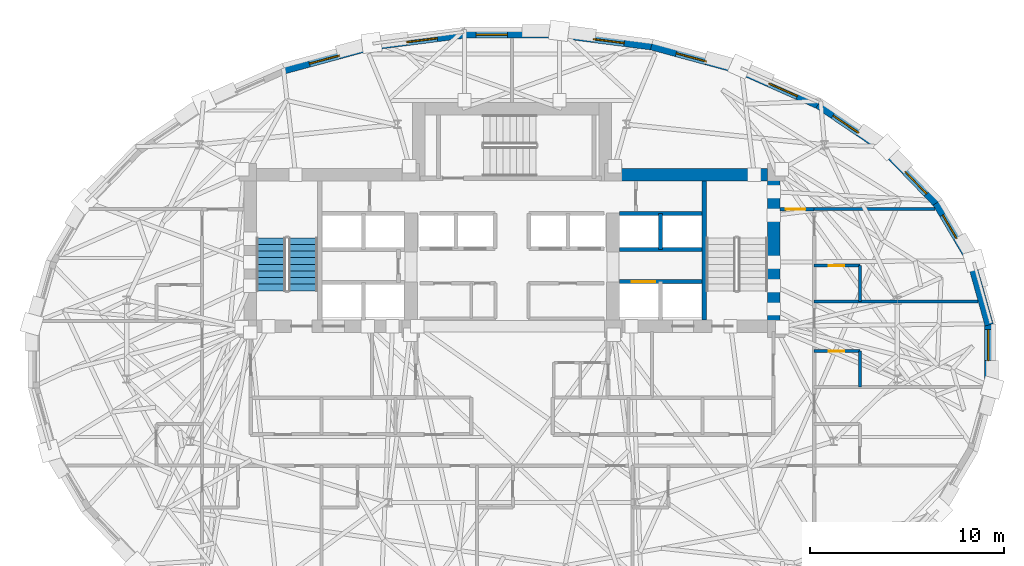
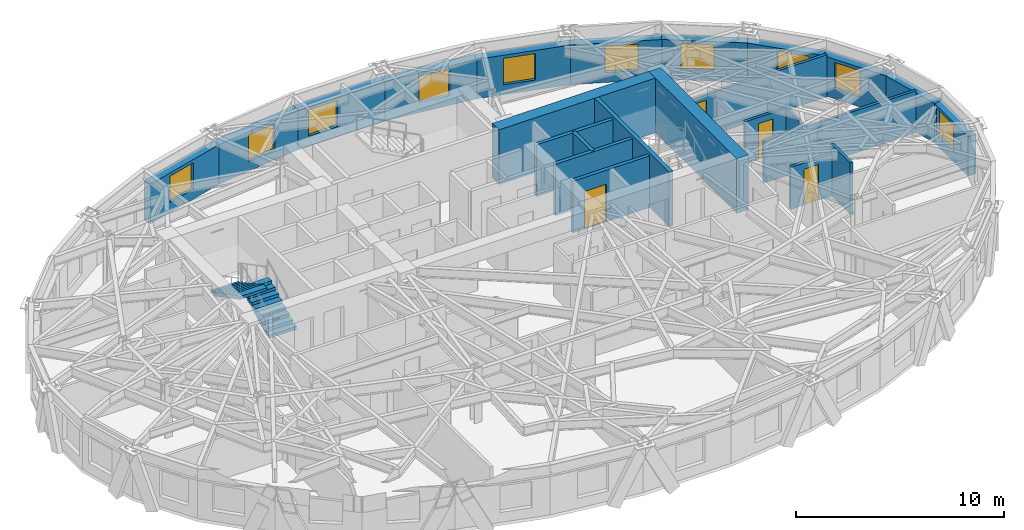
# One storey, part 10 of 15: 25 walls, 10 windows, 4 doors, 2 stair flights, 14 openings, 1 element without a shape of its own.
"""IFC4 building model written with IfcOpenShell, lengths in metres."""

from ifc_helpers import new_model, si_unit, direction, frame, frame_2d, origin, place, context, subcontext, project, spatial, polyline, rectangle, outline, extrude, material, layer, layer_set, type_object, element, fill, aggregate, save


model = new_model("IFC4")

# Units and contexts
model_context = context("Model", 3, precision=1e-05, world=origin(), true_north=direction((0.0, 1.0)))
body_context = subcontext(model_context, "Body", "Model", "MODEL_VIEW")
ifc_project = project(units=[si_unit("LENGTHUNIT", "METRE"), si_unit("AREAUNIT", "SQUARE_METRE"), si_unit("VOLUMEUNIT", "CUBIC_METRE"), si_unit("PLANEANGLEUNIT", "RADIAN"), si_unit("MASSUNIT", "GRAM", prefix="KILO")], contexts=[model_context])

# Site, building, storey
site_placement = place(None, origin())
site = spatial("IfcSite", under=ifc_project, at=site_placement, CompositionType="ELEMENT")
building_placement = place(site_placement, origin())
building = spatial("IfcBuilding", under=site, at=building_placement, Name="Keldmark Tower", CompositionType="ELEMENT")
storey_placement = place(building_placement, frame((0.0, 0.0, 163.0)))
storey = spatial("IfcBuildingStorey", under=building, at=storey_placement, Name="L44", CompositionType="ELEMENT", Elevation=163.0)

# Wall, opening, door
ifc_material_1 = material(Name="Type X Fire-Rated Gypsum Partition Assembly", Category="gypsum")
ifc_layer_1 = layer(ifc_material_1, 0.1650390625)
ifc_layer_set_1 = layer_set([ifc_layer_1], Name="Type X Fire-Rated Gypsum Partition Assembly")
wall_type_1 = type_object("IfcWallType", Name="Rated Partition 165 mm", PredefinedType="PARTITIONING", material=ifc_layer_set_1)
wall_1_placement = place(storey_placement, frame((13.800048828125, 7.550048828125, 0.0), z_axis=(0.0, 0.0, 1.0), x_axis=(1.0, 0.0, 0.0)))
wall_1 = element("IfcWall", 1, at=wall_1_placement, inside=storey, type_object=wall_type_1, Name="L44 Rated Partition 165 mm HCOR-EN", PredefinedType="PARTITIONING", context=body_context, shape_type="SweptSolid", body=[
    extrude(rectangle(XDim=1.75, YDim=0.1650390625, at=frame_2d((0.875, 0.0))), origin(), (0.0, 0.0, 1.0), 2.472900390625),
])
opening_1_placement = place(wall_1_placement, frame((0.300048828125, 0.0, 0.0)))
opening_1 = element("IfcOpeningElement", 2, at=opening_1_placement, cuts=wall_1, Name="Opening D-FD100", PredefinedType="OPENING", context=body_context, shape_type="SweptSolid", body=[
    extrude(rectangle(XDim=1.0, YDim=2.14990234375, at=frame_2d((0.5, 1.074951171875))), frame((0.0, 0.092529296875, 0.0), z_axis=(0.0, -1.0, 0.0), x_axis=(1.0, 0.0, 0.0)), (0.0, 0.0, 1.0), 0.18505859375),
])
ifc_material_2 = material(Name="Hollow Metal Fire-Rated Corridor Door", Category="metal")
door_type_1 = type_object("IfcDoorType", Name="Fire Door 1000x2150", OperationType="NOTDEFINED", PredefinedType="DOOR", material=ifc_material_2)
door_1_placement = place(opening_1_placement, origin())
door_1 = element("IfcDoor", 3, at=door_1_placement, inside=storey, type_object=door_type_1, Name="L44 Fire Door 1000x2150 D-HNNE-L44", OperationType="SINGLE_SWING_RIGHT", OverallHeight=2.14990234375, OverallWidth=1.0, PredefinedType="DOOR", context=body_context, shape_type="SweptSolid", body=[
    extrude(rectangle(XDim=1.0, YDim=2.14990234375, at=frame_2d((0.5, 1.074951171875))), frame((0.0, 0.02490234375, 0.0), z_axis=(0.0, -1.0, 0.0), x_axis=(1.0, 0.0, 0.0)), (0.0, 0.0, 1.0), 0.050048828125),
])
fill(opening_1, door_1)

ifc_material_3 = material(Name="Fire-Resistant Type X Gypsum Shaftliner Coreboard", Category="gypsum")
ifc_layer_2 = layer(ifc_material_3, 0.199951171875)
ifc_layer_set_2 = layer_set([ifc_layer_2], Name="Fire-Resistant Type X Gypsum Shaftliner Coreboard")
wall_type_2 = type_object("IfcWallType", Name="Shaft Wall 200 mm", PredefinedType="SOLIDWALL", material=ifc_layer_set_2)
wall_2_placement = place(storey_placement, frame((5.52490234375, 3.820068359375, 0.0), z_axis=(0.0, 0.0, 1.0), x_axis=(1.0, 0.0, 0.0)))
wall_2 = element("IfcWall", 4, at=wall_2_placement, inside=storey, type_object=wall_type_2, Name="L44 Shaft Wall 200 mm HW-E-S", PredefinedType="SOLIDWALL", context=body_context, shape_type="SweptSolid", body=[
    extrude(rectangle(XDim=4.255126953125, YDim=0.199951171875, at=frame_2d((2.12744140625, 0.0))), origin(), (0.0, 0.0, 1.0), 3.02001953125),
])
opening_2_placement = place(wall_2_placement, frame((0.64990234375, 0.0, 0.0)))
opening_2 = element("IfcOpeningElement", 5, at=opening_2_placement, cuts=wall_2, Name="Opening LD-120", PredefinedType="OPENING", context=body_context, shape_type="SweptSolid", body=[
    extrude(rectangle(XDim=1.199951171875, YDim=2.199951171875, at=frame_2d((0.60009765625, 1.10009765625))), frame((0.0, 0.10986328125, 0.0), z_axis=(0.0, -1.0, 0.0), x_axis=(1.0, 0.0, 0.0)), (0.0, 0.0, 1.0), 0.219970703125),
])
ifc_material_4 = material(Name="Heavy-Duty Brushed Metal Hoistway Sliding Leaf", Category="metal")
door_type_2 = type_object("IfcDoorType", Name="Service Lift Sliding Door 1200x2200", OperationType="SLIDING_TO_RIGHT", PredefinedType="DOOR", material=ifc_material_4)
door_2_placement = place(opening_2_placement, origin())
door_2 = element("IfcDoor", 6, at=door_2_placement, inside=storey, type_object=door_type_2, Name="L44 Service Lift Sliding Door 1200x2200 LD-EL-SV1-L44", OperationType="SLIDING_TO_RIGHT", OverallHeight=2.199951171875, OverallWidth=1.199951171875, PredefinedType="DOOR", context=body_context, shape_type="SweptSolid", body=[
    extrude(rectangle(XDim=1.199951171875, YDim=2.199951171875, at=frame_2d((0.60009765625, 1.10009765625))), frame((0.0, 0.02490234375, 0.0), z_axis=(0.0, -1.0, 0.0), x_axis=(1.0, 0.0, 0.0)), (0.0, 0.0, 1.0), 0.050048828125),
])
fill(opening_2, door_2)

# Walls
for number, where, z_axis, x_axis, name in (
    (7, (5.52490234375, 5.469970703125, 0.0), (0.0, 0.0, 1.0), (1.0, 0.0, 0.0), "L44 Shaft Wall 200 mm HW-E-N"),
    (8, (5.52490234375, 7.330078125, 0.0), (0.0, 0.0, 1.0), (1.0, 0.0, 0.0), "L44 Shaft Wall 200 mm HW-E-TOP"),
):
    element("IfcWall", number, at=place(storey_placement, frame(where, z_axis=z_axis, x_axis=x_axis)), inside=storey, type_object=wall_type_2, Name=name, PredefinedType="SOLIDWALL", context=body_context, shape_type="SweptSolid", body=[
        extrude(rectangle(XDim=4.255126953125, YDim=0.199951171875, at=frame_2d((2.12744140625, 0.0))), origin(), (0.0, 0.0, 1.0), 3.02001953125),
    ])
wall_3_placement = place(storey_placement, frame((7.64990234375, 5.469970703125, 0.0), z_axis=(0.0, 0.0, 1.0), x_axis=(0.0, 1.0, 0.0)))
element("IfcWall", 9, at=wall_3_placement, inside=storey, type_object=wall_type_2, Name="L44 Shaft Wall 200 mm HW-E-NM", PredefinedType="SOLIDWALL", context=body_context, shape_type="SweptSolid", body=[
    extrude(rectangle(XDim=1.860107421875, YDim=0.199951171875, at=frame_2d((0.93017578125, 0.0))), origin(), (0.0, 0.0, 1.0), 3.02001953125),
])
ifc_material_5 = material(Name="Concrete C50/60", Category="concrete")
ifc_layer_3 = layer(ifc_material_5, 0.219970703125)
ifc_layer_set_3 = layer_set([ifc_layer_3], Name="Concrete C50/60")
wall_type_3 = type_object("IfcWallType", Name="Stair Core Shear Wall 220 mm", PredefinedType="SHEAR", material=ifc_layer_set_3)
wall_4_placement = place(storey_placement, frame((9.889892578125, 1.85009765625, 0.0), z_axis=(0.0, 0.0, 1.0), x_axis=(0.0, 1.0, 0.0)))
element("IfcWall", 10, at=wall_4_placement, inside=storey, type_object=wall_type_3, Name="L44 East Stair Core Shear Wall", PredefinedType="SHEAR", context=body_context, shape_type="SweptSolid", body=[
    extrude(rectangle(XDim=7.14990234375, YDim=0.219970703125, at=frame_2d((3.574951171875, 0.0))), origin(), (0.0, 0.0, 1.0), 3.199951171875),
])
ifc_material_6 = material(Name="Ironspot Manganese Brick and Kasota Buff Limestone Spandrel Assembly", Category="masonry")
ifc_layer_4 = layer(ifc_material_6, 0.43994140625)
ifc_layer_set_4 = layer_set([ifc_layer_4], Name="Ironspot Manganese Brick and Kasota Buff Limestone Spandrel Assembly")
wall_type_4 = type_object("IfcWallType", Name="Tower Brick Pier and Spandrel Wall 440 mm", PredefinedType="STANDARD", material=ifc_layer_set_4)
wall_5_placement = place(storey_placement, frame((23.64501953125, 4.846435546875, 0.0), z_axis=(0.0, 0.0, 1.0), x_axis=(0.269235699479, -0.963074315993, 0.0)))
element("IfcWall", 11, at=wall_5_placement, inside=storey, type_object=wall_type_4, Name="L44 Exterior Brick and Spandrel Wall 01", PredefinedType="STANDARD", context=body_context, shape_type="SweptSolid", body=[
    extrude(rectangle(XDim=3.376953125, YDim=0.43994140625, at=frame_2d((1.6884765625, 0.0))), origin(), (0.0, 0.0, 1.0), 2.31494140625),
])

# Wall, opening, window
wall_6_placement = place(storey_placement, frame((21.847412109375, 7.87255859375, 0.0), z_axis=(0.0, 0.0, 1.0), x_axis=(0.508883387051, -0.860835465338, 0.0)))
wall_6 = element("IfcWall", 12, at=wall_6_placement, inside=storey, type_object=wall_type_4, Name="L44 Exterior Brick and Spandrel Wall 02", PredefinedType="STANDARD", context=body_context, shape_type="SweptSolid", body=[
    extrude(rectangle(XDim=3.57666015625, YDim=0.43994140625, at=frame_2d((1.788330078125, 0.0))), origin(), (0.0, 0.0, 1.0), 2.31494140625),
])
opening_3_placement = place(wall_6_placement, frame((0.693603515625, 0.0, 0.580078125)))
opening_3 = element("IfcOpeningElement", 13, at=opening_3_placement, cuts=wall_6, Name="Opening W-08", PredefinedType="OPENING", context=body_context, shape_type="SweptSolid", body=[
    extrude(rectangle(XDim=1.39990234375, YDim=1.550048828125, at=frame_2d((0.699951171875, 0.77490234375))), frame((0.0, 0.22998046875, 0.0), z_axis=(0.0, -1.0, 0.0), x_axis=(1.0, 0.0, 0.0)), (0.0, 0.0, 1.0), 0.4599609375),
])
ifc_material_7 = material(Name="Thermally Broken Anodized Aluminum and Triple Low-E Argon Glazing", Category="aluminium")
window_type_1 = type_object("IfcWindowType", Name="Residential Corner Punched Window 1400x1550", PartitioningType="SINGLE_PANEL", PredefinedType="WINDOW", material=ifc_material_7)
window_1_placement = place(opening_3_placement, origin())
window_1 = element("IfcWindow", 14, at=window_1_placement, inside=storey, type_object=window_type_1, Name="L44 Deep-Set Window 02", OverallHeight=1.550048828125, OverallWidth=1.39990234375, PartitioningType="SINGLE_PANEL", PredefinedType="WINDOW", context=body_context, shape_type="SweptSolid", body=[
    extrude(rectangle(XDim=1.39990234375, YDim=1.550048828125, at=frame_2d((0.699951171875, 0.77490234375))), frame((0.0, -0.010009765625, 0.0), z_axis=(0.0, -1.0, 0.0), x_axis=(1.0, 0.0, 0.0)), (0.0, 0.0, 1.0), 0.06005859375),
])
fill(opening_3, window_1)

wall_7_placement = place(storey_placement, frame((19.191650390625, 10.61181640625, 0.0), z_axis=(0.0, 0.0, 1.0), x_axis=(0.694975307772, -0.719033602544, 0.0)))
wall_7 = element("IfcWall", 15, at=wall_7_placement, inside=storey, type_object=wall_type_4, Name="L44 Exterior Brick and Spandrel Wall 03", PredefinedType="STANDARD", context=body_context, shape_type="SweptSolid", body=[
    extrude(rectangle(XDim=3.866455078125, YDim=0.43994140625, at=frame_2d((1.93310546875, 0.0))), origin(), (0.0, 0.0, 1.0), 2.31494140625),
])
opening_4_placement = place(wall_7_placement, frame((1.52587890625, 0.0, 0.580078125)))
opening_4 = element("IfcOpeningElement", 16, at=opening_4_placement, cuts=wall_7, Name="Opening W-04", PredefinedType="OPENING", context=body_context, shape_type="SweptSolid", body=[
    extrude(rectangle(XDim=1.60009765625, YDim=1.550048828125, at=frame_2d((0.800048828125, 0.77490234375))), frame((0.0, 0.22998046875, 0.0), z_axis=(0.0, -1.0, 0.0), x_axis=(1.0, 0.0, 0.0)), (0.0, 0.0, 1.0), 0.4599609375),
])
ifc_material_8 = material(Name="Thermally Broken Anodized Aluminum and Triple Low-E Argon Glazing", Category="aluminium")
window_type_2 = type_object("IfcWindowType", Name="Hotel Deep-Set Operable Window 1600x1550", PartitioningType="DOUBLE_PANEL_HORIZONTAL", PredefinedType="WINDOW", material=ifc_material_8)
window_2_placement = place(opening_4_placement, origin())
window_2 = element("IfcWindow", 17, at=window_2_placement, inside=storey, type_object=window_type_2, Name="L44 Deep-Set Window 03", OverallHeight=1.550048828125, OverallWidth=1.60009765625, PartitioningType="SINGLE_PANEL", PredefinedType="WINDOW", context=body_context, shape_type="SweptSolid", body=[
    extrude(rectangle(XDim=1.60009765625, YDim=1.550048828125, at=frame_2d((0.800048828125, 0.77490234375))), frame((0.0, -0.010009765625, 0.0), z_axis=(0.0, -1.0, 0.0), x_axis=(1.0, 0.0, 0.0)), (0.0, 0.0, 1.0), 0.06005859375),
])
fill(opening_4, window_2)

wall_8_placement = place(storey_placement, frame((15.756591796875, 12.9345703125, 0.0), z_axis=(0.0, 0.0, 1.0), x_axis=(0.827760762475, -0.561081206338, 0.0)))
wall_8 = element("IfcWall", 18, at=wall_8_placement, inside=storey, type_object=wall_type_4, Name="L44 Exterior Brick and Spandrel Wall 04", PredefinedType="STANDARD", context=body_context, shape_type="SweptSolid", body=[
    extrude(rectangle(XDim=4.19189453125, YDim=0.43994140625, at=frame_2d((2.095947265625, 0.0))), origin(), (0.0, 0.0, 1.0), 2.31494140625),
])
opening_5_placement = place(wall_8_placement, frame((0.947265625, 0.0, 0.580078125)))
opening_5 = element("IfcOpeningElement", 19, at=opening_5_placement, cuts=wall_8, Name="Opening W-04", PredefinedType="OPENING", context=body_context, shape_type="SweptSolid", body=[
    extrude(rectangle(XDim=1.60009765625, YDim=1.550048828125, at=frame_2d((0.800048828125, 0.77490234375))), frame((0.0, 0.22998046875, 0.0), z_axis=(0.0, -1.0, 0.0), x_axis=(1.0, 0.0, 0.0)), (0.0, 0.0, 1.0), 0.4599609375),
])
window_3_placement = place(opening_5_placement, origin())
window_3 = element("IfcWindow", 20, at=window_3_placement, inside=storey, type_object=window_type_2, Name="L44 Deep-Set Window 04", OverallHeight=1.550048828125, OverallWidth=1.60009765625, PartitioningType="SINGLE_PANEL", PredefinedType="WINDOW", context=body_context, shape_type="SweptSolid", body=[
    extrude(rectangle(XDim=1.60009765625, YDim=1.550048828125, at=frame_2d((0.800048828125, 0.77490234375))), frame((0.0, -0.010009765625, 0.0), z_axis=(0.0, -1.0, 0.0), x_axis=(1.0, 0.0, 0.0)), (0.0, 0.0, 1.0), 0.06005859375),
])
fill(opening_5, window_3)

wall_9_placement = place(storey_placement, frame((11.689697265625, 14.737060546875, 0.0), z_axis=(0.0, 0.0, 1.0), x_axis=(0.913907994914, -0.405921392431, 0.0)))
wall_9 = element("IfcWall", 21, at=wall_9_placement, inside=storey, type_object=wall_type_4, Name="L44 Exterior Brick and Spandrel Wall 05", PredefinedType="STANDARD", context=body_context, shape_type="SweptSolid", body=[
    extrude(rectangle(XDim=4.4873046875, YDim=0.43994140625, at=frame_2d((2.24365234375, 0.0))), origin(), (0.0, 0.0, 1.0), 2.31494140625),
])
opening_6_placement = place(wall_9_placement, frame((1.6923828125, 0.0, 0.580078125)))
opening_6 = element("IfcOpeningElement", 22, at=opening_6_placement, cuts=wall_9, Name="Opening W-04", PredefinedType="OPENING", context=body_context, shape_type="SweptSolid", body=[
    extrude(rectangle(XDim=1.60009765625, YDim=1.550048828125, at=frame_2d((0.800048828125, 0.77490234375))), frame((0.0, 0.22998046875, 0.0), z_axis=(0.0, -1.0, 0.0), x_axis=(1.0, 0.0, 0.0)), (0.0, 0.0, 1.0), 0.4599609375),
])
window_4_placement = place(opening_6_placement, origin())
window_4 = element("IfcWindow", 23, at=window_4_placement, inside=storey, type_object=window_type_2, Name="L44 Deep-Set Window 05", OverallHeight=1.550048828125, OverallWidth=1.60009765625, PartitioningType="SINGLE_PANEL", PredefinedType="WINDOW", context=body_context, shape_type="SweptSolid", body=[
    extrude(rectangle(XDim=1.60009765625, YDim=1.550048828125, at=frame_2d((0.800048828125, 0.77490234375))), frame((0.0, -0.010009765625, 0.0), z_axis=(0.0, -1.0, 0.0), x_axis=(1.0, 0.0, 0.0)), (0.0, 0.0, 1.0), 0.06005859375),
])
fill(opening_6, window_4)

wall_10_placement = place(storey_placement, frame((7.17919921875, 15.95947265625, 0.0), z_axis=(0.0, 0.0, 1.0), x_axis=(0.965037424263, -0.262112132058, 0.0)))
wall_10 = element("IfcWall", 24, at=wall_10_placement, inside=storey, type_object=wall_type_4, Name="L44 Exterior Brick and Spandrel Wall 06", PredefinedType="STANDARD", context=body_context, shape_type="SweptSolid", body=[
    extrude(rectangle(XDim=4.70654296875, YDim=0.43994140625, at=frame_2d((2.353271484375, 0.0))), origin(), (0.0, 0.0, 1.0), 2.31494140625),
])
opening_7_placement = place(wall_10_placement, frame((1.331787109375, 0.0, 0.580078125)))
opening_7 = element("IfcOpeningElement", 25, at=opening_7_placement, cuts=wall_10, Name="Opening W-04", PredefinedType="OPENING", context=body_context, shape_type="SweptSolid", body=[
    extrude(rectangle(XDim=1.60009765625, YDim=1.550048828125, at=frame_2d((0.800048828125, 0.77490234375))), frame((0.0, 0.22998046875, 0.0), z_axis=(0.0, -1.0, 0.0), x_axis=(1.0, 0.0, 0.0)), (0.0, 0.0, 1.0), 0.4599609375),
])
window_5_placement = place(opening_7_placement, origin())
window_5 = element("IfcWindow", 26, at=window_5_placement, inside=storey, type_object=window_type_2, Name="L44 Deep-Set Window 06", OverallHeight=1.550048828125, OverallWidth=1.60009765625, PartitioningType="SINGLE_PANEL", PredefinedType="WINDOW", context=body_context, shape_type="SweptSolid", body=[
    extrude(rectangle(XDim=1.60009765625, YDim=1.550048828125, at=frame_2d((0.800048828125, 0.77490234375))), frame((0.0, -0.010009765625, 0.0), z_axis=(0.0, -1.0, 0.0), x_axis=(1.0, 0.0, 0.0)), (0.0, 0.0, 1.0), 0.06005859375),
])
fill(opening_7, window_5)

wall_11_placement = place(storey_placement, frame((2.4111328125, 16.56982421875, 0.0), z_axis=(0.0, 0.0, 1.0), x_axis=(0.991852910824, -0.127388395426, 0.0)))
wall_11 = element("IfcWall", 27, at=wall_11_placement, inside=storey, type_object=wall_type_4, Name="L44 Exterior Brick and Spandrel Wall 07", PredefinedType="STANDARD", context=body_context, shape_type="SweptSolid", body=[
    extrude(rectangle(XDim=4.837158203125, YDim=0.43994140625, at=frame_2d((2.41845703125, 0.0))), origin(), (0.0, 0.0, 1.0), 2.31494140625),
])
opening_8_placement = place(wall_11_placement, frame((1.792724609375, 0.0, 0.580078125)))
opening_8 = element("IfcOpeningElement", 28, at=opening_8_placement, cuts=wall_11, Name="Opening W-04", PredefinedType="OPENING", context=body_context, shape_type="SweptSolid", body=[
    extrude(rectangle(XDim=1.60009765625, YDim=1.550048828125, at=frame_2d((0.800048828125, 0.77490234375))), frame((0.0, 0.22998046875, 0.0), z_axis=(0.0, -1.0, 0.0), x_axis=(1.0, 0.0, 0.0)), (0.0, 0.0, 1.0), 0.4599609375),
])
window_6_placement = place(opening_8_placement, origin())
window_6 = element("IfcWindow", 29, at=window_6_placement, inside=storey, type_object=window_type_2, Name="L44 Deep-Set Window 07", OverallHeight=1.550048828125, OverallWidth=1.60009765625, PartitioningType="SINGLE_PANEL", PredefinedType="WINDOW", context=body_context, shape_type="SweptSolid", body=[
    extrude(rectangle(XDim=1.60009765625, YDim=1.550048828125, at=frame_2d((0.800048828125, 0.77490234375))), frame((0.0, -0.010009765625, 0.0), z_axis=(0.0, -1.0, 0.0), x_axis=(1.0, 0.0, 0.0)), (0.0, 0.0, 1.0), 0.06005859375),
])
fill(opening_8, window_6)

wall_12_placement = place(storey_placement, frame((-2.439208984375, 16.568115234375, 0.0), z_axis=(0.0, 0.0, 1.0), x_axis=(1.0, 0.0, 0.0)))
wall_12 = element("IfcWall", 30, at=wall_12_placement, inside=storey, type_object=wall_type_4, Name="L44 Exterior Brick and Spandrel Wall 08", PredefinedType="STANDARD", context=body_context, shape_type="SweptSolid", body=[
    extrude(rectangle(XDim=4.87841796875, YDim=0.43994140625, at=frame_2d((2.439208984375, 0.0))), origin(), (0.0, 0.0, 1.0), 2.31494140625),
])
opening_9_placement = place(wall_12_placement, frame((0.596923828125, 0.0, 0.580078125)))
opening_9 = element("IfcOpeningElement", 31, at=opening_9_placement, cuts=wall_12, Name="Opening W-04", PredefinedType="OPENING", context=body_context, shape_type="SweptSolid", body=[
    extrude(rectangle(XDim=1.60009765625, YDim=1.550048828125, at=frame_2d((0.800048828125, 0.77490234375))), frame((0.0, 0.22998046875, 0.0), z_axis=(0.0, -1.0, 0.0), x_axis=(1.0, 0.0, 0.0)), (0.0, 0.0, 1.0), 0.4599609375),
])
window_7_placement = place(opening_9_placement, origin())
window_7 = element("IfcWindow", 32, at=window_7_placement, inside=storey, type_object=window_type_2, Name="L44 Deep-Set Window 08", OverallHeight=1.550048828125, OverallWidth=1.60009765625, PartitioningType="SINGLE_PANEL", PredefinedType="WINDOW", context=body_context, shape_type="SweptSolid", body=[
    extrude(rectangle(XDim=1.60009765625, YDim=1.550048828125, at=frame_2d((0.800048828125, 0.77490234375))), frame((0.0, -0.010009765625, 0.0), z_axis=(0.0, -1.0, 0.0), x_axis=(1.0, 0.0, 0.0)), (0.0, 0.0, 1.0), 0.06005859375),
])
fill(opening_9, window_7)

wall_13_placement = place(storey_placement, frame((-7.208984375, 15.95361328125, 0.0), z_axis=(0.0, 0.0, 1.0), x_axis=(0.991852910824, 0.127388395426, 0.0)))
wall_13 = element("IfcWall", 33, at=wall_13_placement, inside=storey, type_object=wall_type_4, Name="L44 Exterior Brick and Spandrel Wall 09", PredefinedType="STANDARD", context=body_context, shape_type="SweptSolid", body=[
    extrude(rectangle(XDim=4.837158203125, YDim=0.43994140625, at=frame_2d((2.41845703125, 0.0))), origin(), (0.0, 0.0, 1.0), 2.31494140625),
])
opening_10_placement = place(wall_13_placement, frame((1.792724609375, 0.0, 0.580078125)))
opening_10 = element("IfcOpeningElement", 34, at=opening_10_placement, cuts=wall_13, Name="Opening W-04", PredefinedType="OPENING", context=body_context, shape_type="SweptSolid", body=[
    extrude(rectangle(XDim=1.60009765625, YDim=1.550048828125, at=frame_2d((0.800048828125, 0.77490234375))), frame((0.0, 0.22998046875, 0.0), z_axis=(0.0, -1.0, 0.0), x_axis=(1.0, 0.0, 0.0)), (0.0, 0.0, 1.0), 0.4599609375),
])
window_8_placement = place(opening_10_placement, origin())
window_8 = element("IfcWindow", 35, at=window_8_placement, inside=storey, type_object=window_type_2, Name="L44 Deep-Set Window 09", OverallHeight=1.550048828125, OverallWidth=1.60009765625, PartitioningType="SINGLE_PANEL", PredefinedType="WINDOW", context=body_context, shape_type="SweptSolid", body=[
    extrude(rectangle(XDim=1.60009765625, YDim=1.550048828125, at=frame_2d((0.800048828125, 0.77490234375))), frame((0.0, -0.010009765625, 0.0), z_axis=(0.0, -1.0, 0.0), x_axis=(1.0, 0.0, 0.0)), (0.0, 0.0, 1.0), 0.06005859375),
])
fill(opening_10, window_8)

wall_14_placement = place(storey_placement, frame((-11.72119140625, 14.725830078125, 0.0), z_axis=(0.0, 0.0, 1.0), x_axis=(0.965037424263, 0.262112132058, 0.0)))
wall_14 = element("IfcWall", 36, at=wall_14_placement, inside=storey, type_object=wall_type_4, Name="L44 Exterior Brick and Spandrel Wall 10", PredefinedType="STANDARD", context=body_context, shape_type="SweptSolid", body=[
    extrude(rectangle(XDim=4.70654296875, YDim=0.43994140625, at=frame_2d((2.353271484375, 0.0))), origin(), (0.0, 0.0, 1.0), 2.31494140625),
])
opening_11_placement = place(wall_14_placement, frame((1.331787109375, 0.0, 0.580078125)))
opening_11 = element("IfcOpeningElement", 37, at=opening_11_placement, cuts=wall_14, Name="Opening W-04", PredefinedType="OPENING", context=body_context, shape_type="SweptSolid", body=[
    extrude(rectangle(XDim=1.60009765625, YDim=1.550048828125, at=frame_2d((0.800048828125, 0.77490234375))), frame((0.0, 0.22998046875, 0.0), z_axis=(0.0, -1.0, 0.0), x_axis=(1.0, 0.0, 0.0)), (0.0, 0.0, 1.0), 0.4599609375),
])
window_9_placement = place(opening_11_placement, origin())
window_9 = element("IfcWindow", 38, at=window_9_placement, inside=storey, type_object=window_type_2, Name="L44 Deep-Set Window 10", OverallHeight=1.550048828125, OverallWidth=1.60009765625, PartitioningType="SINGLE_PANEL", PredefinedType="WINDOW", context=body_context, shape_type="SweptSolid", body=[
    extrude(rectangle(XDim=1.60009765625, YDim=1.550048828125, at=frame_2d((0.800048828125, 0.77490234375))), frame((0.0, -0.010009765625, 0.0), z_axis=(0.0, -1.0, 0.0), x_axis=(1.0, 0.0, 0.0)), (0.0, 0.0, 1.0), 0.06005859375),
])
fill(opening_11, window_9)

wall_15_placement = place(storey_placement, frame((24.5458984375, 1.653564453125, 0.0), z_axis=(0.0, 0.0, 1.0), x_axis=(0.0, -1.0, 0.0)))
wall_15 = element("IfcWall", 39, at=wall_15_placement, inside=storey, type_object=wall_type_4, Name="L44 Exterior Brick and Spandrel Wall 32", PredefinedType="STANDARD", context=body_context, shape_type="SweptSolid", body=[
    extrude(rectangle(XDim=3.30712890625, YDim=0.43994140625, at=frame_2d((1.653564453125, 0.0))), origin(), (0.0, 0.0, 1.0), 2.31494140625),
])
opening_12_placement = place(wall_15_placement, frame((0.296875, 0.0, 0.580078125)))
opening_12 = element("IfcOpeningElement", 40, at=opening_12_placement, cuts=wall_15, Name="Opening W-04", PredefinedType="OPENING", context=body_context, shape_type="SweptSolid", body=[
    extrude(rectangle(XDim=1.60009765625, YDim=1.550048828125, at=frame_2d((0.800048828125, 0.77490234375))), frame((0.0, 0.22998046875, 0.0), z_axis=(0.0, -1.0, 0.0), x_axis=(1.0, 0.0, 0.0)), (0.0, 0.0, 1.0), 0.4599609375),
])
window_10_placement = place(opening_12_placement, origin())
window_10 = element("IfcWindow", 41, at=window_10_placement, inside=storey, type_object=window_type_2, Name="L44 Deep-Set Window 32", OverallHeight=1.550048828125, OverallWidth=1.60009765625, PartitioningType="SINGLE_PANEL", PredefinedType="WINDOW", context=body_context, shape_type="SweptSolid", body=[
    extrude(rectangle(XDim=1.60009765625, YDim=1.550048828125, at=frame_2d((0.800048828125, 0.77490234375))), frame((0.0, -0.010009765625, 0.0), z_axis=(0.0, -1.0, 0.0), x_axis=(1.0, 0.0, 0.0)), (0.0, 0.0, 1.0), 0.06005859375),
])
fill(opening_12, window_10)

# Walls
ifc_material_9 = material(Name="Concrete C50/60", Category="concrete")
ifc_layer_5 = layer(ifc_material_9, 0.64990234375)
ifc_layer_set_5 = layer_set([ifc_layer_5], Name="Concrete C50/60")
wall_type_5 = type_object("IfcWallType", Name="Upper-Mid Core Shear Wall 650 mm", PredefinedType="SHEAR", material=ifc_layer_set_5)
wall_16_placement = place(storey_placement, frame((13.47509765625, 1.199951171875, 0.0), z_axis=(0.0, 0.0, 1.0), x_axis=(0.0, 1.0, 0.0)))
element("IfcWall", 42, at=wall_16_placement, inside=storey, type_object=wall_type_5, Name="L44 East Core Outer Shear Wall", PredefinedType="SHEAR", context=body_context, shape_type="SweptSolid", body=[
    extrude(rectangle(XDim=8.449951171875, YDim=0.64990234375, at=frame_2d((4.22509765625, 0.0))), origin(), (0.0, 0.0, 1.0), 3.199951171875),
])
wall_17_placement = place(storey_placement, frame((4.47509765625, 9.324951171875, 0.0), z_axis=(0.0, 0.0, 1.0), x_axis=(1.0, 0.0, 0.0)))
element("IfcWall", 43, at=wall_17_placement, inside=storey, type_object=wall_type_5, Name="L44 East Core North Shear Wall", PredefinedType="SHEAR", context=body_context, shape_type="SweptSolid", body=[
    extrude(rectangle(XDim=9.324951171875, YDim=0.64990234375, at=frame_2d((4.66259765625, 0.0))), origin(), (0.0, 0.0, 1.0), 3.199951171875),
])
ifc_material_10 = material(Name="Moisture-Resistant Gypsum Plumbing Partition", Category="gypsum")
ifc_layer_6 = layer(ifc_material_10, 0.14990234375)
ifc_layer_set_6 = layer_set([ifc_layer_6], Name="Moisture-Resistant Gypsum Plumbing Partition")
wall_type_6 = type_object("IfcWallType", Name="Wet Wall 150 mm", PredefinedType="PLUMBINGWALL", material=ifc_layer_set_6)
wall_18_placement = place(storey_placement, frame((15.550048828125, 7.550048828125, 0.0), z_axis=(0.0, 0.0, 1.0), x_axis=(1.0, 0.0, 0.0)))
element("IfcWall", 44, at=wall_18_placement, inside=storey, type_object=wall_type_6, Name="L44 Wet Wall 150 mm HE-CAP-N", PredefinedType="PLUMBINGWALL", context=body_context, shape_type="SweptSolid", body=[
    extrude(rectangle(XDim=6.22314453125, YDim=0.14990234375, at=frame_2d((3.111572265625, 0.0))), origin(), (0.0, 0.0, 1.0), 2.472900390625),
])
wall_19_placement = place(storey_placement, frame((15.550048828125, 2.800048828125, 0.0), z_axis=(0.0, 0.0, 1.0), x_axis=(1.0, 0.0, 0.0)))
element("IfcWall", 45, at=wall_19_placement, inside=storey, type_object=wall_type_6, Name="L44 Wet Wall 150 mm HE-DIV-2", PredefinedType="PLUMBINGWALL", context=body_context, shape_type="SweptSolid", body=[
    extrude(rectangle(XDim=8.43017578125, YDim=0.14990234375, at=frame_2d((4.215087890625, 0.0))), origin(), (0.0, 0.0, 1.0), 2.472900390625),
])

# Wall, opening, door
wall_20_placement = place(storey_placement, frame((15.550048828125, 0.25, 0.0), z_axis=(0.0, 0.0, 1.0), x_axis=(1.0, 0.0, 0.0)))
wall_20 = element("IfcWall", 46, at=wall_20_placement, inside=storey, type_object=wall_type_6, Name="L44 Wet Wall 150 mm HB-8-N", PredefinedType="PLUMBINGWALL", context=body_context, shape_type="SweptSolid", body=[
    extrude(rectangle(XDim=2.349853515625, YDim=0.14990234375, at=frame_2d((1.1748046875, 0.0))), origin(), (0.0, 0.0, 1.0), 2.472900390625),
])
opening_13_placement = place(wall_20_placement, frame((0.75, 0.0, 0.0)))
opening_13 = element("IfcOpeningElement", 47, at=opening_13_placement, cuts=wall_20, Name="Opening D-BT080", PredefinedType="OPENING", context=body_context, shape_type="SweptSolid", body=[
    extrude(rectangle(XDim=0.800048828125, YDim=2.10009765625, at=frame_2d((0.39990234375, 1.050048828125))), frame((0.0, 0.0849609375, 0.0), z_axis=(0.0, -1.0, 0.0), x_axis=(1.0, 0.0, 0.0)), (0.0, 0.0, 1.0), 0.169921875),
])
ifc_material_11 = material(Name="Moisture-Sealed Stained Wood", Category="wood")
door_type_3 = type_object("IfcDoorType", Name="Bathroom Door 800x2100", OperationType="NOTDEFINED", PredefinedType="DOOR", material=ifc_material_11)
door_3_placement = place(opening_13_placement, origin())
door_3 = element("IfcDoor", 48, at=door_3_placement, inside=storey, type_object=door_type_3, Name="L44 Bathroom Door 800x2100 D-HB-8-L44", OperationType="SINGLE_SWING_LEFT", OverallHeight=2.10009765625, OverallWidth=0.800048828125, PredefinedType="DOOR", context=body_context, shape_type="SweptSolid", body=[
    extrude(rectangle(XDim=0.800048828125, YDim=2.10009765625, at=frame_2d((0.39990234375, 1.050048828125))), frame((0.0, 0.02490234375, 0.0), z_axis=(0.0, -1.0, 0.0), x_axis=(1.0, 0.0, 0.0)), (0.0, 0.0, 1.0), 0.050048828125),
])
fill(opening_13, door_3)

# Wall
wall_21_placement = place(storey_placement, frame((17.89990234375, -1.60009765625, 0.0), z_axis=(0.0, 0.0, 1.0), x_axis=(0.0, 1.0, 0.0)))
element("IfcWall", 49, at=wall_21_placement, inside=storey, type_object=wall_type_6, Name="L44 Wet Wall 150 mm HB-8-IN", PredefinedType="PLUMBINGWALL", context=body_context, shape_type="SweptSolid", body=[
    extrude(rectangle(XDim=1.85009765625, YDim=0.14990234375, at=frame_2d((0.925048828125, 0.0))), origin(), (0.0, 0.0, 1.0), 3.02001953125),
])

# Wall, opening, door
wall_22_placement = place(storey_placement, frame((15.550048828125, 4.64990234375, 0.0), z_axis=(0.0, 0.0, 1.0), x_axis=(1.0, 0.0, 0.0)))
wall_22 = element("IfcWall", 50, at=wall_22_placement, inside=storey, type_object=wall_type_6, Name="L44 Wet Wall 150 mm HB-9-N", PredefinedType="PLUMBINGWALL", context=body_context, shape_type="SweptSolid", body=[
    extrude(rectangle(XDim=2.349853515625, YDim=0.14990234375, at=frame_2d((1.1748046875, 0.0))), origin(), (0.0, 0.0, 1.0), 2.472900390625),
])
opening_14_placement = place(wall_22_placement, frame((0.75, 0.0, 0.0)))
opening_14 = element("IfcOpeningElement", 51, at=opening_14_placement, cuts=wall_22, Name="Opening D-BT080", PredefinedType="OPENING", context=body_context, shape_type="SweptSolid", body=[
    extrude(rectangle(XDim=0.800048828125, YDim=2.10009765625, at=frame_2d((0.39990234375, 1.050048828125))), frame((0.0, 0.0849609375, 0.0), z_axis=(0.0, -1.0, 0.0), x_axis=(1.0, 0.0, 0.0)), (0.0, 0.0, 1.0), 0.169921875),
])
door_4_placement = place(opening_14_placement, origin())
door_4 = element("IfcDoor", 52, at=door_4_placement, inside=storey, type_object=door_type_3, Name="L44 Bathroom Door 800x2100 D-HB-9-L44", OperationType="SINGLE_SWING_LEFT", OverallHeight=2.10009765625, OverallWidth=0.800048828125, PredefinedType="DOOR", context=body_context, shape_type="SweptSolid", body=[
    extrude(rectangle(XDim=0.800048828125, YDim=2.10009765625, at=frame_2d((0.39990234375, 1.050048828125))), frame((0.0, 0.02490234375, 0.0), z_axis=(0.0, -1.0, 0.0), x_axis=(1.0, 0.0, 0.0)), (0.0, 0.0, 1.0), 0.050048828125),
])
fill(opening_14, door_4)

# Wall
wall_23_placement = place(storey_placement, frame((17.89990234375, 2.800048828125, 0.0), z_axis=(0.0, 0.0, 1.0), x_axis=(0.0, 1.0, 0.0)))
element("IfcWall", 53, at=wall_23_placement, inside=storey, type_object=wall_type_6, Name="L44 Wet Wall 150 mm HB-9-IN", PredefinedType="PLUMBINGWALL", context=body_context, shape_type="SweptSolid", body=[
    extrude(rectangle(XDim=1.849853515625, YDim=0.14990234375, at=frame_2d((0.9248046875, 0.0))), origin(), (0.0, 0.0, 1.0), 2.472900390625),
])

# Stair, stair flights
ifc_material_12 = material(Name="Concrete C40/50", Category="concrete")
stair_type = type_object("IfcStairType", Name="Precast Concrete Core Exit Stair", PredefinedType="HALF_TURN_STAIR", material=ifc_material_12)
stair_placement = place(storey_placement, origin())
stair = element("IfcStair", 54, at=stair_placement, inside=storey, type_object=stair_type, Name="L44 Exit Stair ST1", PredefinedType="HALF_TURN_STAIR")
ifc_material_13 = material(Name="Concrete C40/50", Category="concrete")
stair_flight_type = type_object("IfcStairFlightType", Name="Precast Concrete Stair Flight 1500 mm", PredefinedType="STRAIGHT", material=ifc_material_13)
stair_flight_1_placement = place(storey_placement, frame((-10.75, 3.35009765625, 0.0), z_axis=(0.0, 0.0, 1.0), x_axis=(0.0, 1.0, 0.0)))
stair_flight_1 = element("IfcStairFlight", 55, at=stair_flight_1_placement, type_object=stair_flight_type, Name="ST1 flight 1", NumberOfRisers=9, NumberOfTreads=8, PredefinedType="STRAIGHT", RiserHeight=0.177777778, TreadLength=0.34, context=body_context, shape_type="SweptSolid", body=[
    extrude(outline(polyline([(0.0, 0.0), (0.0, 0.177734375), (0.340087890625, 0.177734375), (0.340087890625, 0.35546875), (0.679931640625, 0.35546875), (0.679931640625, 0.533447265625), (1.02001953125, 0.533447265625), (1.02001953125, 0.711181640625), (1.360107421875, 0.711181640625), (1.360107421875, 0.888916015625), (1.699951171875, 0.888916015625), (1.699951171875, 1.066650390625), (2.0400390625, 1.066650390625), (2.0400390625, 1.244384765625), (2.3798828125, 1.244384765625), (2.3798828125, 1.422119140625), (2.719970703125, 1.422119140625), (2.719970703125, 1.60009765625), (2.719970703125, 1.253173828125), (0.323486328125, 0.0), (0.0, 0.0)])), frame((0.0, 0.75, 0.0), z_axis=(0.0, -1.0, 0.0), x_axis=(1.0, 0.0, 0.0)), (0.0, 0.0, 1.0), 1.5),
])
stair_flight_2_placement = place(storey_placement, frame((-12.39990234375, 6.070068359375, 1.60009765625), z_axis=(0.0, 0.0, 1.0), x_axis=(0.0, -1.0, 0.0)))
stair_flight_2 = element("IfcStairFlight", 56, at=stair_flight_2_placement, type_object=stair_flight_type, Name="ST1 flight 2", NumberOfRisers=9, NumberOfTreads=8, PredefinedType="STRAIGHT", RiserHeight=0.177777778, TreadLength=0.34, context=body_context, shape_type="SweptSolid", body=[
    extrude(outline(polyline([(0.0, 0.0), (0.0, 0.177734375), (0.340087890625, 0.177734375), (0.340087890625, 0.35546875), (0.679931640625, 0.35546875), (0.679931640625, 0.533447265625), (1.02001953125, 0.533447265625), (1.02001953125, 0.711181640625), (1.360107421875, 0.711181640625), (1.360107421875, 0.888916015625), (1.699951171875, 0.888916015625), (1.699951171875, 1.066650390625), (2.0400390625, 1.066650390625), (2.0400390625, 1.244384765625), (2.3798828125, 1.244384765625), (2.3798828125, 1.422119140625), (2.719970703125, 1.422119140625), (2.719970703125, 1.60009765625), (2.719970703125, 1.253173828125), (0.323486328125, 0.0), (0.0, 0.0)])), frame((0.0, 0.75, 0.0), z_axis=(0.0, -1.0, 0.0), x_axis=(1.0, 0.0, 0.0)), (0.0, 0.0, 1.0), 1.5),
])
aggregate(stair, [stair_flight_1, stair_flight_2])

save(model, "model.ifc")
